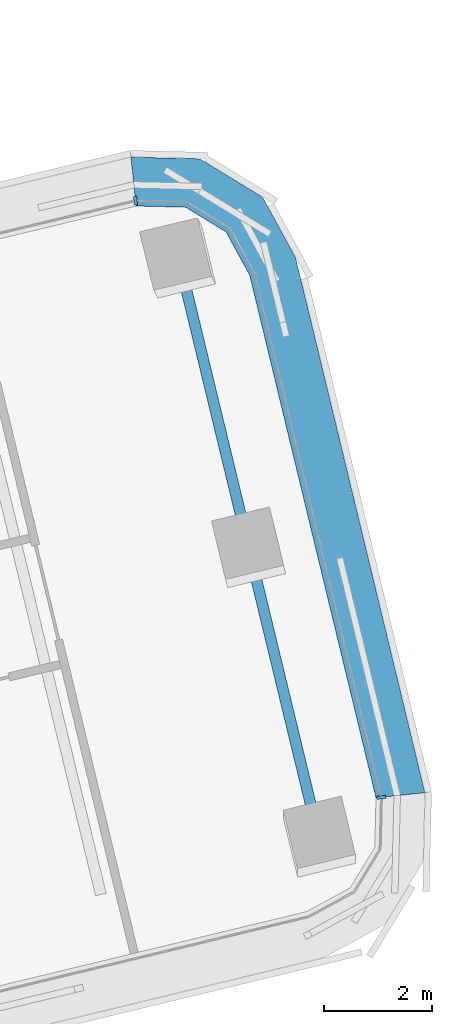
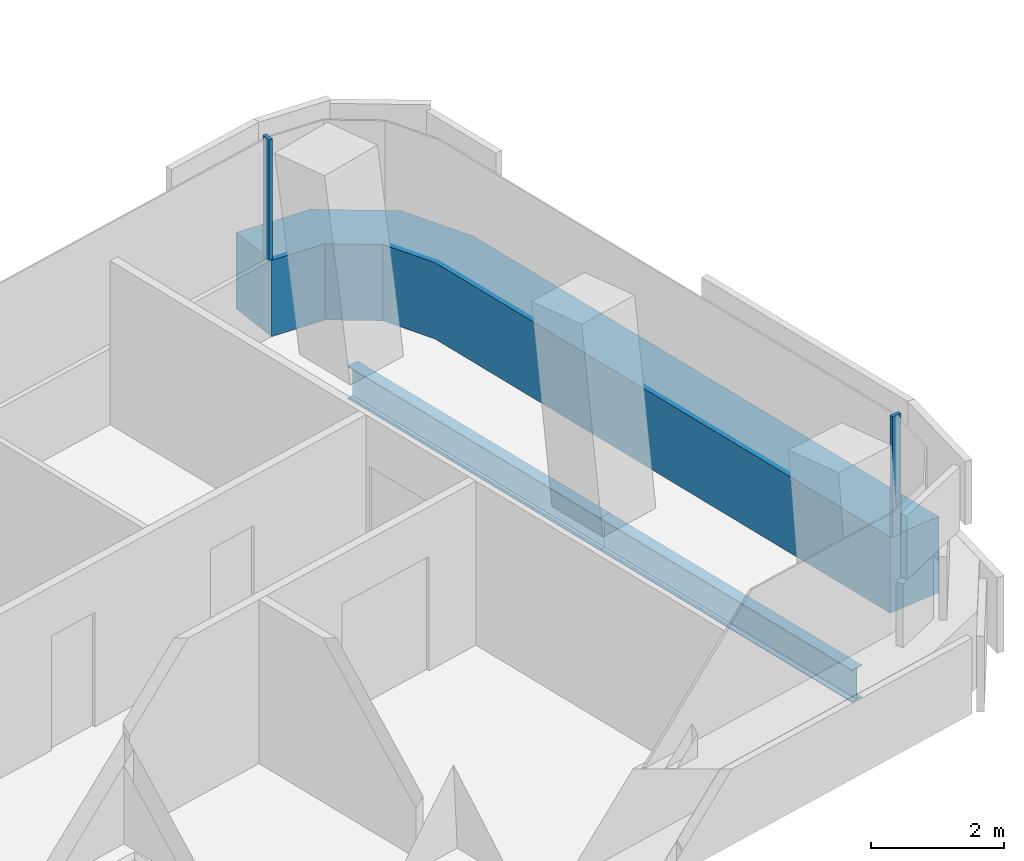
# One storey, part 12 of 33: 3 members, 2 beams, 2 elements without a shape of their own.
"""IFC4 building model written with IfcOpenShell, lengths in metres."""

from ifc_helpers import new_model, si_unit, direction, frame, origin, origin_2d, place, context, subcontext, project, spatial, polyline, rectangle, i_section, outline, extrude, material, layer, layer_set, material_profile, profile_set, type_object, element, aggregate, save


model = new_model("IFC4")

# Units and contexts
model_context = context("Model", 3, precision=1e-05, world=origin(), true_north=direction((0.0, 1.0)))
body_context = subcontext(model_context, "Body", "Model", "MODEL_VIEW")
ifc_project = project(units=[si_unit("LENGTHUNIT", "METRE"), si_unit("AREAUNIT", "SQUARE_METRE"), si_unit("VOLUMEUNIT", "CUBIC_METRE"), si_unit("PLANEANGLEUNIT", "RADIAN"), si_unit("MASSUNIT", "GRAM", prefix="KILO")], contexts=[model_context])

# Site, building, storey
site_placement = place(None, origin())
site = spatial("IfcSite", under=ifc_project, at=site_placement, CompositionType="ELEMENT")
building_placement = place(site_placement, origin())
building = spatial("IfcBuilding", under=site, at=building_placement, Name="Tamarind Cross Interchange Tower", CompositionType="ELEMENT")
storey_placement = place(building_placement, frame((0.0, 0.0, 83.5)))
storey = spatial("IfcBuildingStorey", under=building, at=storey_placement, Name="L19", CompositionType="ELEMENT", Elevation=83.5)

# Beams
ifc_material_1 = material(Name="Steel Q355B", Category="steel")
ifc_material_profile_1 = material_profile(ifc_material_1, i_section(OverallWidth=0.199951171875, OverallDepth=0.60009765625, WebThickness=0.010986328125, FlangeThickness=0.01708984375, FilletRadius=0.012939453125, at=origin_2d()), Name="HN 600x200x11x17")
ifc_profile_set_1 = profile_set([ifc_material_profile_1], Name="Steel Q355B")
beam_type = type_object("IfcBeamType", Name="Composite beam HN 600x200x11x17 Q355B", PredefinedType="BEAM", material=ifc_profile_set_1)
for number, where, z_axis, x_axis, name in (
    (1, (48.187744140625, 0.668701171875, -0.43994140625), (-0.234819882203, 0.972038899902, 0.0), (-0.972038899902, -0.234819882203, 0.0), "Beam E-tip0"),
    (2, (46.896240234375, 6.014892578125, -0.43994140625), (-0.234861823291, 0.972028767044, 0.0), (-0.972028767044, -0.234861823291, 0.0), "Beam E-tip1"),
):
    element("IfcBeam", number, at=place(storey_placement, frame(where, z_axis=z_axis, x_axis=x_axis)), inside=storey, type_object=beam_type, Name=name, PredefinedType="BEAM", context=body_context, shape_type="SweptSolid", body=[
        extrude(i_section(OverallWidth=0.199951171875, OverallDepth=0.60009765625, WebThickness=0.010986328125, FlangeThickness=0.01708984375, FilletRadius=0.012939453125, at=origin_2d()), origin(), (0.0, 0.0, 1.0), 5.5),
    ])

# Curtain wall, members
ifc_material_2 = material(Name="Aluminium 6063-T6", Category="aluminium")
ifc_layer = layer(ifc_material_2, 0.159912109375)
ifc_layer_set = layer_set([ifc_layer], Name="Aluminium 6063-T6")
curtain_wall_type = type_object("IfcCurtainWallType", Name="Office curtain wall, 9.0 m bays", PredefinedType="NOTDEFINED", material=ifc_layer_set)
curtain_wall_1_placement = place(storey_placement, origin())
curtain_wall_1 = element("IfcCurtainWall", 3, at=curtain_wall_1_placement, inside=storey, type_object=curtain_wall_type, Name="CWS-L19-12", PredefinedType="NOTDEFINED")
ifc_material_3 = material(Name="Aluminium and insulated spandrel panel", Category="aluminium")
member_type_1 = type_object("IfcMemberType", Name="Floor-edge blade transom", PredefinedType="USERDEFINED", material=ifc_material_3)
member_1_placement = place(storey_placement, origin())
member_1 = element("IfcMember", 4, at=member_1_placement, type_object=member_type_1, Name="CWT-L19-12", ObjectType="TRANSOM", PredefinedType="USERDEFINED", context=body_context, shape_type="SweptSolid", body=[
    extrude(outline(polyline([(49.2275390625, 1.474853515625), (46.897705078125, 11.118408203125), (46.459716796875, 11.92236328125), (45.71337890625, 12.378173828125), (44.798095703125, 12.40087890625), (44.702392578125, 13.303466796875), (45.976806640625, 13.27197265625), (47.134521484375, 12.564697265625), (47.74462890625, 11.445068359375), (50.130126953125, 1.571044921875), (49.2275390625, 1.474853515625)])), origin(), (0.0, 0.0, 1.0), 1.39990234375),
])
ifc_material_profile_2 = material_profile(ifc_material_2, rectangle(XDim=0.06005859375, YDim=0.159912109375, at=origin_2d()), Name="Mullion CW1")
ifc_profile_set_2 = profile_set([ifc_material_profile_2], Name="Aluminium 6063-T6")
member_type_2 = type_object("IfcMemberType", Name="Mullion CW1", PredefinedType="MULLION", material=ifc_profile_set_2)
member_2_placement = place(storey_placement, frame((49.327880859375, 1.485595703125, 1.39990234375), z_axis=(0.0, 0.0, 1.0), x_axis=(-0.105958627638, 0.9943705392, 0.0)))
member_2 = element("IfcMember", 5, at=member_2_placement, type_object=member_type_2, Name="CWM-L19-12-00", PredefinedType="MULLION", context=body_context, shape_type="SweptSolid", body=[
    extrude(rectangle(XDim=0.06005859375, YDim=0.159912109375, at=origin_2d()), origin(), (0.0, 0.0, 1.0), 2.210205078125),
])
aggregate(curtain_wall_1, [member_2, member_1])

# Curtain wall, member
curtain_wall_2_placement = place(storey_placement, origin())
curtain_wall_2 = element("IfcCurtainWall", 6, at=curtain_wall_2_placement, inside=storey, type_object=curtain_wall_type, Name="CWS-L19-13", PredefinedType="NOTDEFINED")
member_3_placement = place(storey_placement, frame((44.787353515625, 12.501220703125, 1.39990234375), z_axis=(0.0, 0.0, 1.0), x_axis=(-0.994441125247, -0.105294104386, 0.0)))
member_3 = element("IfcMember", 7, at=member_3_placement, type_object=member_type_2, Name="CWM-L19-13-00", PredefinedType="MULLION", context=body_context, shape_type="SweptSolid", body=[
    extrude(rectangle(XDim=0.06005859375, YDim=0.159912109375, at=origin_2d()), origin(), (0.0, 0.0, 1.0), 2.210205078125),
])
aggregate(curtain_wall_2, [member_3])

save(model, "model.ifc")
